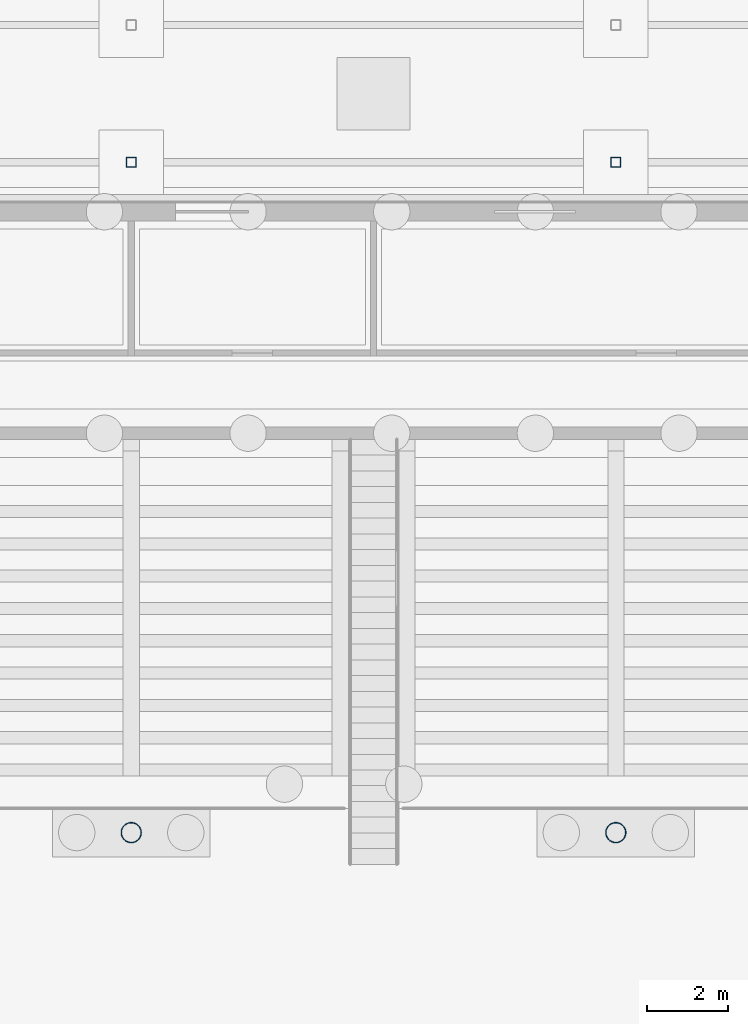
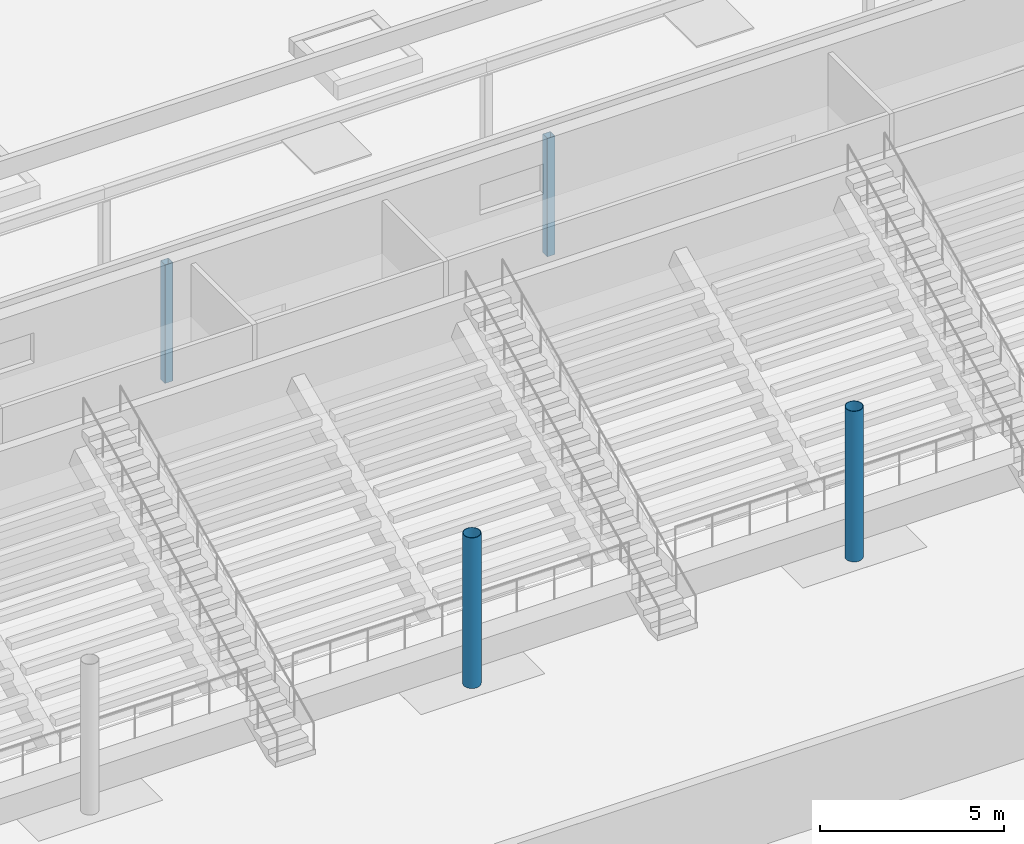
# One storey, part 15 of 157: 4 columns.
"""IFC4 building model written with IfcOpenShell, lengths in metres."""

from ifc_helpers import new_model, si_unit, direction, frame, origin, origin_2d, place, context, subcontext, project, spatial, hollow_rectangle, hollow_circle, extrude, material, material_profile, profile_set, type_object, element, save


model = new_model("IFC4")

# Units and contexts
model_context = context("Model", 3, precision=1e-05, world=origin(), true_north=direction((0.0, 1.0)))
body_context = subcontext(model_context, "Body", "Model", "MODEL_VIEW")
ifc_project = project(units=[si_unit("LENGTHUNIT", "METRE"), si_unit("AREAUNIT", "SQUARE_METRE"), si_unit("VOLUMEUNIT", "CUBIC_METRE"), si_unit("PLANEANGLEUNIT", "RADIAN"), si_unit("MASSUNIT", "GRAM", prefix="KILO")], contexts=[model_context])

# Site, building, storey
site_placement = place(None, origin())
site = spatial("IfcSite", under=ifc_project, at=site_placement, CompositionType="ELEMENT")
building_placement = place(site_placement, origin())
building = spatial("IfcBuilding", under=site, at=building_placement, Name="Windward Yard Aquatics Centre", CompositionType="ELEMENT")
storey_placement = place(building_placement, origin())
storey = spatial("IfcBuildingStorey", under=building, at=storey_placement, Name="L00", CompositionType="ELEMENT", Elevation=0.0)

# Columns
ifc_material = material(Name="Steel ASTM A500 Gr C", Category="steel")
ifc_material_profile_1 = material_profile(ifc_material, hollow_rectangle(XDim=0.25390625, YDim=0.25390625, WallThickness=0.0126953125, InnerFilletRadius=0.00634765625, OuterFilletRadius=0.01904296875, at=origin_2d()), Name="HSS254X254X12.7")
ifc_profile_set_1 = profile_set([ifc_material_profile_1], Name="Steel ASTM A500 Gr C")
column_type_1 = type_object("IfcColumnType", Name="A column HSS254X254X12.7", PredefinedType="COLUMN", material=ifc_profile_set_1)
for number, where, z_axis, x_axis, name in (
    (1, (108.0, 97.0, 0.0), (0.0, 0.0, 1.0), (1.0, 0.0, 0.0), "A.COL.L00.6.1"),
    (2, (120.0, 97.0, 0.0), (0.0, 0.0, 1.0), (1.0, 0.0, 0.0), "A.COL.L00.7.1"),
):
    element("IfcColumn", number, at=place(storey_placement, frame(where, z_axis=z_axis, x_axis=x_axis)), inside=storey, type_object=column_type_1, Name=name, PredefinedType="COLUMN", context=body_context, shape_type="SweptSolid", body=[
        extrude(hollow_rectangle(XDim=0.25390625, YDim=0.25390625, WallThickness=0.0126953125, InnerFilletRadius=0.00634765625, OuterFilletRadius=0.01904296875, at=origin_2d()), origin(), (0.0, 0.0, 1.0), 3.93310546875),
    ])
ifc_material_profile_2 = material_profile(ifc_material, hollow_circle(Radius=0.25390625, WallThickness=0.015869140625, at=origin_2d()), Name="HSS508X15.9")
ifc_profile_set_2 = profile_set([ifc_material_profile_2], Name="Steel ASTM A500 Gr C")
column_type_2 = type_object("IfcColumnType", Name="H arch column HSS508X15.9", PredefinedType="COLUMN", material=ifc_profile_set_2)
for number, where, z_axis, x_axis, name in (
    (3, (108.0, 80.39990234375, 0.0), (0.0, 0.0, 1.0), (1.0, 0.0, 0.0), "H.AC.N5.L00"),
    (4, (120.0, 80.39990234375, 0.0), (0.0, 0.0, 1.0), (1.0, 0.0, 0.0), "H.AC.N6.L00"),
):
    element("IfcColumn", number, at=place(storey_placement, frame(where, z_axis=z_axis, x_axis=x_axis)), inside=storey, type_object=column_type_2, Name=name, PredefinedType="COLUMN", context=body_context, shape_type="SweptSolid", body=[
        extrude(hollow_circle(Radius=0.25390625, WallThickness=0.015869140625, at=origin_2d()), origin(), (0.0, 0.0, 1.0), 5.0),
    ])

save(model, "model.ifc")
